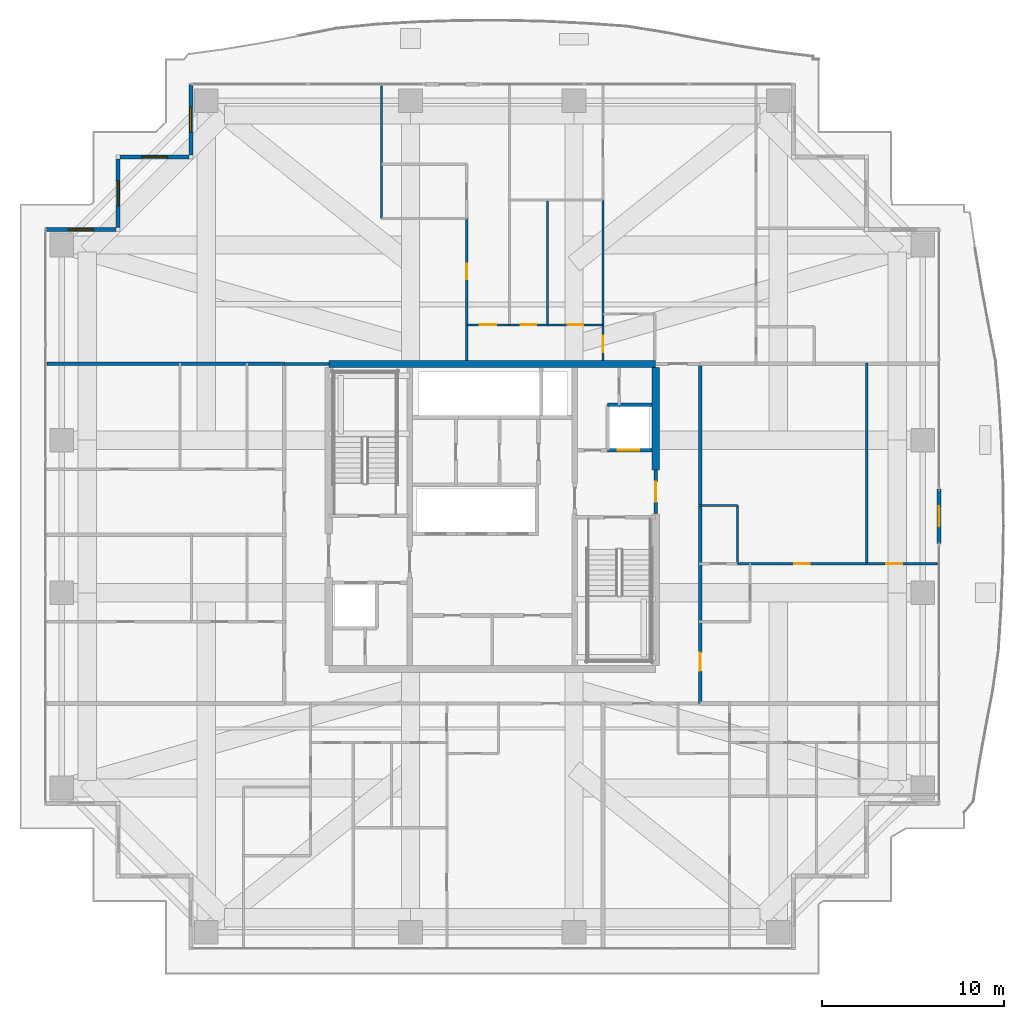
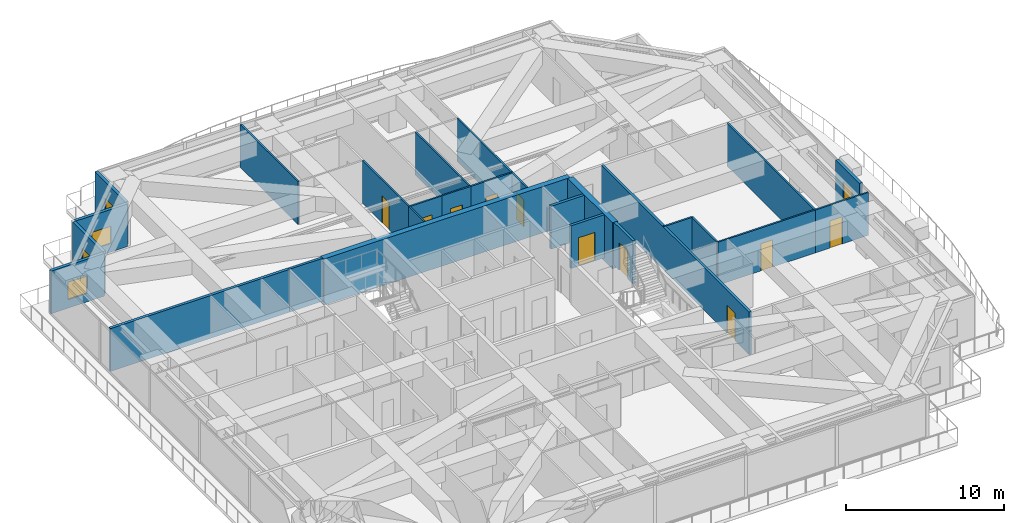
# One storey, part 26 of 32: 27 walls, 11 doors, 4 windows, 15 openings.
"""IFC4 building model written with IfcOpenShell, lengths in metres."""

from ifc_helpers import new_model, si_unit, direction, frame, frame_2d, origin, place, context, subcontext, project, spatial, rectangle, extrude, source, transform, mapped, material, layer, layer_set, type_object, element, fill, save


model = new_model("IFC4")

# Units and contexts
model_context = context("Model", 3, precision=1e-05, world=origin(), true_north=direction((0.0, 1.0)))
body_context = subcontext(model_context, "Body", "Model", "MODEL_VIEW")
ifc_project = project(units=[si_unit("LENGTHUNIT", "METRE"), si_unit("AREAUNIT", "SQUARE_METRE"), si_unit("VOLUMEUNIT", "CUBIC_METRE"), si_unit("PLANEANGLEUNIT", "RADIAN"), si_unit("MASSUNIT", "GRAM", prefix="KILO")], contexts=[model_context])

# Site, building, storey
site_placement = place(None, origin())
site = spatial("IfcSite", under=ifc_project, at=site_placement, CompositionType="ELEMENT")
building_placement = place(site_placement, origin())
building = spatial("IfcBuilding", under=site, at=building_placement, Name="Serunith Strait Residences", CompositionType="ELEMENT")
storey_placement = place(building_placement, frame((0.0, 0.0, 195.14990234375)))
storey = spatial("IfcBuildingStorey", under=building, at=storey_placement, Name="L49", CompositionType="ELEMENT", Elevation=195.14990234375)

# Wall, opening, door
ifc_material_1 = material(Name="Pale-Champagne Aluminium Insulated Panel", Category="aluminium")
ifc_layer_1 = layer(ifc_material_1, 0.219970703125, Name="Pale-Champagne Aluminium Insulated Panel")
ifc_layer_set_1 = layer_set([ifc_layer_1], Name="Pale-Champagne Aluminium Insulated Panel")
wall_type_1 = type_object("IfcWallType", Name="EW-ALUM-220", PredefinedType="ELEMENTEDWALL", material=ifc_layer_set_1)
wall_1_placement = place(storey_placement, frame((57.0, 23.699951171875, 0.0), z_axis=(0.0, 0.0, 1.0), x_axis=(0.0, 1.0, 0.0)))
wall_1 = element("IfcWall", 1, at=wall_1_placement, inside=storey, type_object=wall_type_1, Name="L49 E Facade Pier Wall", PredefinedType="ELEMENTEDWALL", context=body_context, shape_type="SweptSolid", body=[
    extrude(rectangle(XDim=3.0, YDim=0.219970703125, at=frame_2d((1.5, 0.0))), origin(), (0.0, 0.0, 1.0), 3.295166015625),
])
opening_1_placement = place(wall_1_placement, frame((0.949951171875, 0.0, 0.0)))
opening_1 = element("IfcOpeningElement", 2, at=opening_1_placement, cuts=wall_1, Name="Opening ED-03", PredefinedType="OPENING", context=body_context, shape_type="SweptSolid", body=[
    extrude(rectangle(XDim=1.10009765625, YDim=2.199951171875, at=frame_2d((0.550048828125, 1.10009765625))), frame((0.0, 0.1201171875, 0.0), z_axis=(0.0, -1.0, 0.0), x_axis=(1.0, 0.0, 0.0)), (0.0, 0.0, 1.0), 0.239990234375),
])
ifc_material_2 = material(Name="Thermally-Broken Aluminium Glazed Balcony Door", Category="aluminium")
door_type_1 = type_object("IfcDoorType", Name="ED-BALC-1100", OperationType="NOTDEFINED", PredefinedType="DOOR", material=ifc_material_2)
shared_shape_1 = source(origin(), body_context, "Body", "SweptSolid", [
    extrude(rectangle(XDim=1.10009765625, YDim=2.199951171875, at=frame_2d((0.550048828125, 1.10009765625))), frame((0.0, 0.02490234375, 0.0), z_axis=(0.0, -1.0, 0.0), x_axis=(1.0, 0.0, 0.0)), (0.0, 0.0, 1.0), 0.050048828125),
])
door_1_placement = place(opening_1_placement, origin())
door_1 = element("IfcDoor", 3, at=door_1_placement, inside=storey, type_object=door_type_1, Name="L49 E Vertical-Forest Balcony Door", OperationType="SINGLE_SWING_RIGHT", OverallHeight=2.199951171875, OverallWidth=1.10009765625, PredefinedType="DOOR", context=body_context, shape_type="MappedRepresentation", body=[
    mapped(shared_shape_1, transform((0.0, 0.0, 0.0), scale=1.0)),
])
fill(opening_1, door_1)

# Wall, opening, window
wall_2_placement = place(storey_placement, frame((15.800048828125, 49.0, 0.0), z_axis=(0.0, 0.0, 1.0), x_axis=(0.0, -1.0, 0.0)))
wall_2 = element("IfcWall", 4, at=wall_2_placement, inside=storey, type_object=wall_type_1, Name="L49 Girih Serrated Corner Wall 12", PredefinedType="ELEMENTEDWALL", context=body_context, shape_type="SweptSolid", body=[
    extrude(rectangle(XDim=3.889892578125, YDim=0.219970703125, at=frame_2d((1.94482421875, 0.0))), origin(), (0.0, 0.0, 1.0), 3.295166015625),
])
opening_2_placement = place(wall_2_placement, frame((1.2451171875, 0.0, 0.64990234375)))
opening_2 = element("IfcOpeningElement", 5, at=opening_2_placement, cuts=wall_2, Name="Opening W-09", PredefinedType="OPENING", context=body_context, shape_type="SweptSolid", body=[
    extrude(rectangle(XDim=1.39990234375, YDim=1.35009765625, at=frame_2d((0.699951171875, 0.675048828125))), frame((0.0, 0.1201171875, 0.0), z_axis=(0.0, -1.0, 0.0), x_axis=(1.0, 0.0, 0.0)), (0.0, 0.0, 1.0), 0.239990234375),
])
ifc_material_3 = material(Name="Setback Spandrel Ceramic-Fritted Operable Window Glass", Category="glass")
window_type = type_object("IfcWindowType", Name="WIN-C7", PartitioningType="DOUBLE_PANEL_VERTICAL", PredefinedType="WINDOW", material=ifc_material_3)
shared_shape_2 = source(origin(), body_context, "Body", "SweptSolid", [
    extrude(rectangle(XDim=1.39990234375, YDim=1.35009765625, at=frame_2d((0.699951171875, 0.675048828125))), frame((0.0, 0.030029296875, 0.0), z_axis=(0.0, -1.0, 0.0), x_axis=(1.0, 0.0, 0.0)), (0.0, 0.0, 1.0), 0.06005859375),
])
window_1_placement = place(opening_2_placement, origin())
window_1 = element("IfcWindow", 6, at=window_1_placement, inside=storey, type_object=window_type, Name="L49 Corner Operable Fritted Window 12", OverallHeight=1.35009765625, OverallWidth=1.39990234375, PartitioningType="SINGLE_PANEL", PredefinedType="WINDOW", context=body_context, shape_type="MappedRepresentation", body=[
    mapped(shared_shape_2, transform((0.0, 0.0, 0.0), scale=1.0)),
])
fill(opening_2, window_1)

wall_3_placement = place(storey_placement, frame((15.68994140625, 45.0, 0.0), z_axis=(0.0, 0.0, 1.0), x_axis=(-1.0, 0.0, 0.0)))
wall_3 = element("IfcWall", 7, at=wall_3_placement, inside=storey, type_object=wall_type_1, Name="L49 Girih Serrated Corner Wall 13", PredefinedType="ELEMENTEDWALL", context=body_context, shape_type="SweptSolid", body=[
    extrude(rectangle(XDim=3.780029296875, YDim=0.219970703125, at=frame_2d((1.89013671875, 0.0))), origin(), (0.0, 0.0, 1.0), 3.295166015625),
])
opening_3_placement = place(wall_3_placement, frame((1.18994140625, 0.0, 0.64990234375)))
opening_3 = element("IfcOpeningElement", 8, at=opening_3_placement, cuts=wall_3, Name="Opening W-09", PredefinedType="OPENING", context=body_context, shape_type="SweptSolid", body=[
    extrude(rectangle(XDim=1.39990234375, YDim=1.35009765625, at=frame_2d((0.699951171875, 0.675048828125))), frame((0.0, 0.1201171875, 0.0), z_axis=(0.0, -1.0, 0.0), x_axis=(1.0, 0.0, 0.0)), (0.0, 0.0, 1.0), 0.239990234375),
])
window_2_placement = place(opening_3_placement, origin())
window_2 = element("IfcWindow", 9, at=window_2_placement, inside=storey, type_object=window_type, Name="L49 Corner Operable Fritted Window 13", OverallHeight=1.35009765625, OverallWidth=1.39990234375, PartitioningType="SINGLE_PANEL", PredefinedType="WINDOW", context=body_context, shape_type="MappedRepresentation", body=[
    mapped(shared_shape_2, transform((0.0, 0.0, 0.0), scale=1.0)),
])
fill(opening_3, window_2)

wall_4_placement = place(storey_placement, frame((11.800048828125, 44.889892578125, 0.0), z_axis=(0.0, 0.0, 1.0), x_axis=(0.0, -1.0, 0.0)))
wall_4 = element("IfcWall", 10, at=wall_4_placement, inside=storey, type_object=wall_type_1, Name="L49 Girih Serrated Corner Wall 14", PredefinedType="ELEMENTEDWALL", context=body_context, shape_type="SweptSolid", body=[
    extrude(rectangle(XDim=3.77978515625, YDim=0.219970703125, at=frame_2d((1.889892578125, 0.0))), origin(), (0.0, 0.0, 1.0), 3.295166015625),
])
opening_4_placement = place(wall_4_placement, frame((1.18994140625, 0.0, 0.64990234375)))
opening_4 = element("IfcOpeningElement", 11, at=opening_4_placement, cuts=wall_4, Name="Opening W-09", PredefinedType="OPENING", context=body_context, shape_type="SweptSolid", body=[
    extrude(rectangle(XDim=1.39990234375, YDim=1.35009765625, at=frame_2d((0.699951171875, 0.675048828125))), frame((0.0, 0.1201171875, 0.0), z_axis=(0.0, -1.0, 0.0), x_axis=(1.0, 0.0, 0.0)), (0.0, 0.0, 1.0), 0.239990234375),
])
window_3_placement = place(opening_4_placement, origin())
window_3 = element("IfcWindow", 12, at=window_3_placement, inside=storey, type_object=window_type, Name="L49 Corner Operable Fritted Window 14", OverallHeight=1.35009765625, OverallWidth=1.39990234375, PartitioningType="SINGLE_PANEL", PredefinedType="WINDOW", context=body_context, shape_type="MappedRepresentation", body=[
    mapped(shared_shape_2, transform((0.0, 0.0, 0.0), scale=1.0)),
])
fill(opening_4, window_3)

wall_5_placement = place(storey_placement, frame((11.68994140625, 41.0, 0.0), z_axis=(0.0, 0.0, 1.0), x_axis=(-1.0, 0.0, 0.0)))
wall_5 = element("IfcWall", 13, at=wall_5_placement, inside=storey, type_object=wall_type_1, Name="L49 Girih Serrated Corner Wall 15", PredefinedType="ELEMENTEDWALL", context=body_context, shape_type="SweptSolid", body=[
    extrude(rectangle(XDim=3.889892578125, YDim=0.219970703125, at=frame_2d((1.94482421875, 0.0))), origin(), (0.0, 0.0, 1.0), 3.295166015625),
])
opening_5_placement = place(wall_5_placement, frame((1.2451171875, 0.0, 0.64990234375)))
opening_5 = element("IfcOpeningElement", 14, at=opening_5_placement, cuts=wall_5, Name="Opening W-09", PredefinedType="OPENING", context=body_context, shape_type="SweptSolid", body=[
    extrude(rectangle(XDim=1.39990234375, YDim=1.35009765625, at=frame_2d((0.699951171875, 0.675048828125))), frame((0.0, 0.1201171875, 0.0), z_axis=(0.0, -1.0, 0.0), x_axis=(1.0, 0.0, 0.0)), (0.0, 0.0, 1.0), 0.239990234375),
])
window_4_placement = place(opening_5_placement, origin())
window_4 = element("IfcWindow", 15, at=window_4_placement, inside=storey, type_object=window_type, Name="L49 Corner Operable Fritted Window 15", OverallHeight=1.35009765625, OverallWidth=1.39990234375, PartitioningType="SINGLE_PANEL", PredefinedType="WINDOW", context=body_context, shape_type="MappedRepresentation", body=[
    mapped(shared_shape_2, transform((0.0, 0.0, 0.0), scale=1.0)),
])
fill(opening_5, window_4)

# Wall, opening, door
ifc_material_4 = material(Name="Fire-rated acoustic gypsum partition")
ifc_layer_2 = layer(ifc_material_4, 0.179931640625, Name="Fire-rated acoustic gypsum partition")
ifc_layer_set_2 = layer_set([ifc_layer_2], Name="Fire-rated acoustic gypsum partition")
wall_type_2 = type_object("IfcWallType", Name="IW-CORR-180", PredefinedType="PARTITIONING", material=ifc_layer_set_2)
wall_6_placement = place(storey_placement, frame((43.85009765625, 14.89990234375, 0.0), z_axis=(0.0, 0.0, 1.0), x_axis=(0.0, 1.0, 0.0)))
wall_6 = element("IfcWall", 16, at=wall_6_placement, inside=storey, type_object=wall_type_2, Name="L49 Partition Wall 028", PredefinedType="PARTITIONING", context=body_context, shape_type="SweptSolid", body=[
    extrude(rectangle(XDim=18.7001953125, YDim=0.179931640625, at=frame_2d((9.35009765625, 0.0))), origin(), (0.0, 0.0, 1.0), 3.31005859375),
])
opening_6_placement = place(wall_6_placement, frame((1.804931640625, 0.0, 0.0)))
opening_6 = element("IfcOpeningElement", 17, at=opening_6_placement, cuts=wall_6, Name="Opening D-APT1000", PredefinedType="OPENING", context=body_context, shape_type="SweptSolid", body=[
    extrude(rectangle(XDim=1.0, YDim=2.14990234375, at=frame_2d((0.5, 1.074951171875))), frame((0.0, 0.10009765625, 0.0), z_axis=(0.0, -1.0, 0.0), x_axis=(1.0, 0.0, 0.0)), (0.0, 0.0, 1.0), 0.199951171875),
])
ifc_material_5 = material(Name="Solid timber engineered fire door", Category="wood")
door_type_2 = type_object("IfcDoorType", Name="ID-APT-1000", OperationType="NOTDEFINED", PredefinedType="DOOR", material=ifc_material_5)
shared_shape_3 = source(origin(), body_context, "Body", "SweptSolid", [
    extrude(rectangle(XDim=1.0, YDim=2.14990234375, at=frame_2d((0.5, 1.074951171875))), frame((0.0, 0.02490234375, 0.0), z_axis=(0.0, -1.0, 0.0), x_axis=(1.0, 0.0, 0.0)), (0.0, 0.0, 1.0), 0.050048828125),
])
door_2_placement = place(opening_6_placement, origin())
door_2 = element("IfcDoor", 18, at=door_2_placement, inside=storey, type_object=door_type_2, Name="L49 Unit 06 Entrance Door", OperationType="SINGLE_SWING_LEFT", OverallHeight=2.14990234375, OverallWidth=1.0, PredefinedType="DOOR", context=body_context, shape_type="MappedRepresentation", body=[
    mapped(shared_shape_3, transform((0.0, 0.0, 0.0), scale=1.0)),
])
fill(opening_6, door_2)

# Wall
wall_7_placement = place(storey_placement, frame((20.951904296875, 33.60009765625, 0.0), z_axis=(0.0, 0.0, 1.0), x_axis=(1.0, 0.0, 0.0)))
element("IfcWall", 19, at=wall_7_placement, inside=storey, type_object=wall_type_2, Name="L49 Partition Wall 029", PredefinedType="PARTITIONING", context=body_context, shape_type="SweptSolid", body=[
    extrude(rectangle(XDim=2.446044921875, YDim=0.179931640625, at=frame_2d((1.22314453125, 0.0))), origin(), (0.0, 0.0, 1.0), 3.31005859375),
])

# Wall, opening, door
ifc_material_6 = material(Name="Lightweight steel-stud gypsum partition", Category="steel")
ifc_layer_3 = layer(ifc_material_6, 0.1201171875, Name="Lightweight steel-stud gypsum partition")
ifc_layer_set_3 = layer_set([ifc_layer_3], Name="Lightweight steel-stud gypsum partition")
wall_type_3 = type_object("IfcWallType", Name="IW-PART-120", PredefinedType="PARTITIONING", material=ifc_layer_set_3)
wall_8_placement = place(storey_placement, frame((38.5, 35.75, 0.0), z_axis=(0.0, 0.0, 1.0), x_axis=(0.0, -1.0, 0.0)))
wall_8 = element("IfcWall", 20, at=wall_8_placement, inside=storey, type_object=wall_type_3, Name="L49 Partition Wall 065", PredefinedType="PARTITIONING", context=body_context, shape_type="SweptSolid", body=[
    extrude(rectangle(XDim=1.949951171875, YDim=0.1201171875, at=frame_2d((0.97509765625, 0.0))), origin(), (0.0, 0.0, 1.0), 3.31005859375),
])
opening_7_placement = place(wall_8_placement, frame((0.594970703125, 0.0, 0.0)))
opening_7 = element("IfcOpeningElement", 21, at=opening_7_placement, cuts=wall_8, Name="Opening D-RM900", PredefinedType="OPENING", context=body_context, shape_type="SweptSolid", body=[
    extrude(rectangle(XDim=0.89990234375, YDim=2.10009765625, at=frame_2d((0.449951171875, 1.050048828125))), frame((0.0, 0.070068359375, 0.0), z_axis=(0.0, -1.0, 0.0), x_axis=(1.0, 0.0, 0.0)), (0.0, 0.0, 1.0), 0.14013671875),
])
ifc_material_7 = material(Name="Engineered timber flush bedroom door", Category="wood")
door_type_3 = type_object("IfcDoorType", Name="ID-ROOM-900", OperationType="NOTDEFINED", PredefinedType="DOOR", material=ifc_material_7)
shared_shape_4 = source(origin(), body_context, "Body", "SweptSolid", [
    extrude(rectangle(XDim=0.89990234375, YDim=2.10009765625, at=frame_2d((0.449951171875, 1.050048828125))), frame((0.0, 0.02490234375, 0.0), z_axis=(0.0, -1.0, 0.0), x_axis=(1.0, 0.0, 0.0)), (0.0, 0.0, 1.0), 0.050048828125),
])
door_3_placement = place(opening_7_placement, origin())
door_3 = element("IfcDoor", 22, at=door_3_placement, inside=storey, type_object=door_type_3, Name="L49 Hall W 4903 Door", OperationType="SINGLE_SWING_RIGHT", OverallHeight=2.10009765625, OverallWidth=0.89990234375, PredefinedType="DOOR", context=body_context, shape_type="MappedRepresentation", body=[
    mapped(shared_shape_4, transform((0.0, 0.0, 0.0), scale=1.0)),
])
fill(opening_7, door_3)

# Walls
wall_9_placement = place(storey_placement, frame((38.5, 42.62890625, 0.0), z_axis=(0.0, 0.0, 1.0), x_axis=(0.0, -1.0, 0.0)))
element("IfcWall", 23, at=wall_9_placement, inside=storey, type_object=wall_type_3, Name="L49 Partition Wall 067", PredefinedType="PARTITIONING", context=body_context, shape_type="SweptSolid", body=[
    extrude(rectangle(XDim=6.876953125, YDim=0.1201171875, at=frame_2d((3.4384765625, 0.0))), origin(), (0.0, 0.0, 1.0), 3.31005859375),
])
wall_10_placement = place(storey_placement, frame((35.449951171875, 42.631103515625, 0.0), z_axis=(0.0, 0.0, 1.0), x_axis=(0.0, -1.0, 0.0)))
element("IfcWall", 24, at=wall_10_placement, inside=storey, type_object=wall_type_3, Name="L49 Partition Wall 070", PredefinedType="PARTITIONING", context=body_context, shape_type="SweptSolid", body=[
    extrude(rectangle(XDim=6.881103515625, YDim=0.1201171875, at=frame_2d((3.4404296875, 0.0))), origin(), (0.0, 0.0, 1.0), 3.31005859375),
])

# Wall, opening, door
wall_11_placement = place(storey_placement, frame((33.35009765625, 35.75, 0.0), z_axis=(0.0, 0.0, 1.0), x_axis=(1.0, 0.0, 0.0)))
wall_11 = element("IfcWall", 25, at=wall_11_placement, inside=storey, type_object=wall_type_3, Name="L49 Partition Wall 071", PredefinedType="PARTITIONING", context=body_context, shape_type="SweptSolid", body=[
    extrude(rectangle(XDim=2.099853515625, YDim=0.1201171875, at=frame_2d((1.0498046875, 0.0))), origin(), (0.0, 0.0, 1.0), 3.31005859375),
])
opening_8_placement = place(wall_11_placement, frame((0.625, 0.0, 0.0)))
opening_8 = element("IfcOpeningElement", 26, at=opening_8_placement, cuts=wall_11, Name="Opening D-BTH850", PredefinedType="OPENING", context=body_context, shape_type="SweptSolid", body=[
    extrude(rectangle(XDim=0.85009765625, YDim=2.10009765625, at=frame_2d((0.425048828125, 1.050048828125))), frame((0.0, 0.070068359375, 0.0), z_axis=(0.0, -1.0, 0.0), x_axis=(1.0, 0.0, 0.0)), (0.0, 0.0, 1.0), 0.14013671875),
])
ifc_material_8 = material(Name="Moisture-resistant timber bathroom door", Category="wood")
door_type_4 = type_object("IfcDoorType", Name="ID-BATH-850", OperationType="NOTDEFINED", PredefinedType="DOOR", material=ifc_material_8)
shared_shape_5 = source(origin(), body_context, "Body", "SweptSolid", [
    extrude(rectangle(XDim=0.85009765625, YDim=2.10009765625, at=frame_2d((0.425048828125, 1.050048828125))), frame((0.0, 0.02490234375, 0.0), z_axis=(0.0, -1.0, 0.0), x_axis=(1.0, 0.0, 0.0)), (0.0, 0.0, 1.0), 0.050048828125),
])
door_4_placement = place(opening_8_placement, origin())
door_4 = element("IfcDoor", 27, at=door_4_placement, inside=storey, type_object=door_type_4, Name="L49 Bathroom 4903 Door", OperationType="SINGLE_SWING_RIGHT", OverallHeight=2.10009765625, OverallWidth=0.85009765625, PredefinedType="DOOR", context=body_context, shape_type="MappedRepresentation", body=[
    mapped(shared_shape_5, transform((0.0, 0.0, 0.0), scale=1.0)),
])
fill(opening_8, door_4)

wall_12_placement = place(storey_placement, frame((35.451904296875, 35.75, 0.0), z_axis=(0.0, 0.0, 1.0), x_axis=(1.0, 0.0, 0.0)))
wall_12 = element("IfcWall", 28, at=wall_12_placement, inside=storey, type_object=wall_type_3, Name="L49 Partition Wall 072", PredefinedType="PARTITIONING", context=body_context, shape_type="SweptSolid", body=[
    extrude(rectangle(XDim=3.048095703125, YDim=0.1201171875, at=frame_2d((1.52392578125, 0.0))), origin(), (0.0, 0.0, 1.0), 3.31005859375),
])
opening_9_placement = place(wall_12_placement, frame((1.09912109375, 0.0, 0.0)))
opening_9 = element("IfcOpeningElement", 29, at=opening_9_placement, cuts=wall_12, Name="Opening D-RM850", PredefinedType="OPENING", context=body_context, shape_type="SweptSolid", body=[
    extrude(rectangle(XDim=0.85009765625, YDim=2.10009765625, at=frame_2d((0.425048828125, 1.050048828125))), frame((0.0, 0.070068359375, 0.0), z_axis=(0.0, -1.0, 0.0), x_axis=(1.0, 0.0, 0.0)), (0.0, 0.0, 1.0), 0.14013671875),
])
ifc_material_9 = material(Name="Engineered timber flush study and kitchen door", Category="wood")
door_type_5 = type_object("IfcDoorType", Name="ID-ROOM-850", OperationType="NOTDEFINED", PredefinedType="DOOR", material=ifc_material_9)
door_5_placement = place(opening_9_placement, origin())
door_5 = element("IfcDoor", 30, at=door_5_placement, inside=storey, type_object=door_type_5, Name="L49 Formal Dining Room 4903 Door", OperationType="SINGLE_SWING_LEFT", OverallHeight=2.10009765625, OverallWidth=0.85009765625, PredefinedType="DOOR", context=body_context, shape_type="MappedRepresentation", body=[
    mapped(shared_shape_5, transform((0.0, 0.0, 0.0), scale=1.0)),
])
fill(opening_9, door_5)

wall_13_placement = place(storey_placement, frame((31.0, 35.75, 0.0), z_axis=(0.0, 0.0, 1.0), x_axis=(1.0, 0.0, 0.0)))
wall_13 = element("IfcWall", 31, at=wall_13_placement, inside=storey, type_object=wall_type_3, Name="L49 Partition Wall 073", PredefinedType="PARTITIONING", context=body_context, shape_type="SweptSolid", body=[
    extrude(rectangle(XDim=2.347900390625, YDim=0.1201171875, at=frame_2d((1.173828125, 0.0))), origin(), (0.0, 0.0, 1.0), 3.31005859375),
])
opening_10_placement = place(wall_13_placement, frame((0.72412109375, 0.0, 0.0)))
opening_10 = element("IfcOpeningElement", 32, at=opening_10_placement, cuts=wall_13, Name="Opening D-RM900", PredefinedType="OPENING", context=body_context, shape_type="SweptSolid", body=[
    extrude(rectangle(XDim=0.89990234375, YDim=2.10009765625, at=frame_2d((0.449951171875, 1.050048828125))), frame((0.0, 0.070068359375, 0.0), z_axis=(0.0, -1.0, 0.0), x_axis=(1.0, 0.0, 0.0)), (0.0, 0.0, 1.0), 0.14013671875),
])
door_6_placement = place(opening_10_placement, origin())
door_6 = element("IfcDoor", 33, at=door_6_placement, inside=storey, type_object=door_type_3, Name="L49 Master Bedroom W 4903 Door", OperationType="SINGLE_SWING_RIGHT", OverallHeight=2.10009765625, OverallWidth=0.89990234375, PredefinedType="DOOR", context=body_context, shape_type="MappedRepresentation", body=[
    mapped(shared_shape_4, transform((0.0, 0.0, 0.0), scale=1.0)),
])
fill(opening_10, door_6)

# Wall
wall_14_placement = place(storey_placement, frame((26.300048828125, 48.905029296875, 0.0), z_axis=(0.0, 0.0, 1.0), x_axis=(0.0, -1.0, 0.0)))
element("IfcWall", 34, at=wall_14_placement, inside=storey, type_object=wall_type_3, Name="L49 Partition Wall 075", PredefinedType="PARTITIONING", context=body_context, shape_type="SweptSolid", body=[
    extrude(rectangle(XDim=7.2919921875, YDim=0.1201171875, at=frame_2d((3.64599609375, 0.0))), origin(), (0.0, 0.0, 1.0), 3.31005859375),
])

# Wall, opening, door
wall_15_placement = place(storey_placement, frame((31.0, 41.611083984375, 0.0), z_axis=(0.0, 0.0, 1.0), x_axis=(0.0, -1.0, 0.0)))
wall_15 = element("IfcWall", 35, at=wall_15_placement, inside=storey, type_object=wall_type_3, Name="L49 Partition Wall 078", PredefinedType="PARTITIONING", context=body_context, shape_type="SweptSolid", body=[
    extrude(rectangle(XDim=5.861083984375, YDim=0.1201171875, at=frame_2d((2.9306640625, 0.0))), origin(), (0.0, 0.0, 1.0), 3.31005859375),
])
opening_11_placement = place(wall_15_placement, frame((2.5048828125, 0.0, 0.0)))
opening_11 = element("IfcOpeningElement", 36, at=opening_11_placement, cuts=wall_15, Name="Opening D-RM850", PredefinedType="OPENING", context=body_context, shape_type="SweptSolid", body=[
    extrude(rectangle(XDim=0.85009765625, YDim=2.10009765625, at=frame_2d((0.425048828125, 1.050048828125))), frame((0.0, 0.070068359375, 0.0), z_axis=(0.0, -1.0, 0.0), x_axis=(1.0, 0.0, 0.0)), (0.0, 0.0, 1.0), 0.14013671875),
])
door_7_placement = place(opening_11_placement, origin())
door_7 = element("IfcDoor", 37, at=door_7_placement, inside=storey, type_object=door_type_5, Name="L49 Wardrobe W 4903 Door", OperationType="SINGLE_SWING_RIGHT", OverallHeight=2.10009765625, OverallWidth=0.85009765625, PredefinedType="DOOR", context=body_context, shape_type="MappedRepresentation", body=[
    mapped(shared_shape_5, transform((0.0, 0.0, 0.0), scale=1.0)),
])
fill(opening_11, door_7)

# Wall
wall_16_placement = place(storey_placement, frame((31.0, 35.748046875, 0.0), z_axis=(0.0, 0.0, 1.0), x_axis=(0.0, -1.0, 0.0)))
element("IfcWall", 38, at=wall_16_placement, inside=storey, type_object=wall_type_3, Name="L49 Partition Wall 079", PredefinedType="PARTITIONING", context=body_context, shape_type="SweptSolid", body=[
    extrude(rectangle(XDim=1.947998046875, YDim=0.1201171875, at=frame_2d((0.97412109375, 0.0))), origin(), (0.0, 0.0, 1.0), 3.31005859375),
])

# Wall, opening, door
wall_17_placement = place(storey_placement, frame((56.905029296875, 22.60009765625, 0.0), z_axis=(0.0, 0.0, 1.0), x_axis=(-1.0, 0.0, 0.0)))
wall_17 = element("IfcWall", 39, at=wall_17_placement, inside=storey, type_object=wall_type_3, Name="L49 Partition Wall 098", PredefinedType="PARTITIONING", context=body_context, shape_type="SweptSolid", body=[
    extrude(rectangle(XDim=3.879150390625, YDim=0.1201171875, at=frame_2d((1.939453125, 0.0))), origin(), (0.0, 0.0, 1.0), 3.31005859375),
])
opening_12_placement = place(wall_17_placement, frame((1.91796875, 0.0, 0.0)))
opening_12 = element("IfcOpeningElement", 40, at=opening_12_placement, cuts=wall_17, Name="Opening D-RM900", PredefinedType="OPENING", context=body_context, shape_type="SweptSolid", body=[
    extrude(rectangle(XDim=0.89990234375, YDim=2.10009765625, at=frame_2d((0.449951171875, 1.050048828125))), frame((0.0, 0.070068359375, 0.0), z_axis=(0.0, -1.0, 0.0), x_axis=(1.0, 0.0, 0.0)), (0.0, 0.0, 1.0), 0.14013671875),
])
door_8_placement = place(opening_12_placement, origin())
door_8 = element("IfcDoor", 41, at=door_8_placement, inside=storey, type_object=door_type_3, Name="L49 Master Bedroom 1 4906 Door", OperationType="SINGLE_SWING_LEFT", OverallHeight=2.10009765625, OverallWidth=0.89990234375, PredefinedType="DOOR", context=body_context, shape_type="MappedRepresentation", body=[
    mapped(shared_shape_4, transform((0.0, 0.0, 0.0), scale=1.0)),
])
fill(opening_12, door_8)

# Walls
wall_18_placement = place(storey_placement, frame((53.02587890625, 22.60009765625, 0.0), z_axis=(0.0, 0.0, 1.0), x_axis=(0.0, 1.0, 0.0)))
element("IfcWall", 42, at=wall_18_placement, inside=storey, type_object=wall_type_3, Name="L49 Partition Wall 099", PredefinedType="PARTITIONING", context=body_context, shape_type="SweptSolid", body=[
    extrude(rectangle(XDim=11.059814453125, YDim=0.1201171875, at=frame_2d((5.52978515625, 0.0))), origin(), (0.0, 0.0, 1.0), 3.31005859375),
])
wall_19_placement = place(storey_placement, frame((45.89990234375, 22.60009765625, 0.0), z_axis=(0.0, 0.0, 1.0), x_axis=(0.0, 1.0, 0.0)))
element("IfcWall", 43, at=wall_19_placement, inside=storey, type_object=wall_type_3, Name="L49 Partition Wall 100", PredefinedType="PARTITIONING", context=body_context, shape_type="SweptSolid", body=[
    extrude(rectangle(XDim=3.199951171875, YDim=0.1201171875, at=frame_2d((1.60009765625, 0.0))), origin(), (0.0, 0.0, 1.0), 3.31005859375),
])
wall_20_placement = place(storey_placement, frame((45.89990234375, 25.800048828125, 0.0), z_axis=(0.0, 0.0, 1.0), x_axis=(-1.0, 0.0, 0.0)))
element("IfcWall", 44, at=wall_20_placement, inside=storey, type_object=wall_type_3, Name="L49 Partition Wall 101", PredefinedType="PARTITIONING", context=body_context, shape_type="SweptSolid", body=[
    extrude(rectangle(XDim=2.10986328125, YDim=0.1201171875, at=frame_2d((1.054931640625, 0.0))), origin(), (0.0, 0.0, 1.0), 3.31005859375),
])

# Wall, opening, door
wall_21_placement = place(storey_placement, frame((53.02392578125, 22.60009765625, 0.0), z_axis=(0.0, 0.0, 1.0), x_axis=(-1.0, 0.0, 0.0)))
wall_21 = element("IfcWall", 45, at=wall_21_placement, inside=storey, type_object=wall_type_3, Name="L49 Partition Wall 102", PredefinedType="PARTITIONING", context=body_context, shape_type="SweptSolid", body=[
    extrude(rectangle(XDim=7.1240234375, YDim=0.1201171875, at=frame_2d((3.56201171875, 0.0))), origin(), (0.0, 0.0, 1.0), 3.31005859375),
])
opening_13_placement = place(wall_21_placement, frame((3.136962890625, 0.0, 0.0)))
opening_13 = element("IfcOpeningElement", 46, at=opening_13_placement, cuts=wall_21, Name="Opening D-RM850", PredefinedType="OPENING", context=body_context, shape_type="SweptSolid", body=[
    extrude(rectangle(XDim=0.85009765625, YDim=2.10009765625, at=frame_2d((0.425048828125, 1.050048828125))), frame((0.0, 0.070068359375, 0.0), z_axis=(0.0, -1.0, 0.0), x_axis=(1.0, 0.0, 0.0)), (0.0, 0.0, 1.0), 0.14013671875),
])
door_9_placement = place(opening_13_placement, origin())
door_9 = element("IfcDoor", 47, at=door_9_placement, inside=storey, type_object=door_type_5, Name="L49 Walk-in Wardrobe 4906 Door", OperationType="SINGLE_SWING_RIGHT", OverallHeight=2.10009765625, OverallWidth=0.85009765625, PredefinedType="DOOR", context=body_context, shape_type="MappedRepresentation", body=[
    mapped(shared_shape_5, transform((0.0, 0.0, 0.0), scale=1.0)),
])
fill(opening_13, door_9)

# Wall
ifc_material_10 = material(Name="Twin-stud acoustic gypsum board partition")
ifc_layer_4 = layer(ifc_material_10, 0.199951171875, Name="Twin-stud acoustic gypsum board partition")
ifc_layer_set_4 = layer_set([ifc_layer_4], Name="Twin-stud acoustic gypsum board partition")
wall_type_4 = type_object("IfcWallType", Name="IW-PARTY-200", PredefinedType="PARTITIONING", material=ifc_layer_set_4)
wall_22_placement = place(storey_placement, frame((7.882080078125, 33.60009765625, 0.0), z_axis=(0.0, 0.0, 1.0), x_axis=(1.0, 0.0, 0.0)))
element("IfcWall", 48, at=wall_22_placement, inside=storey, type_object=wall_type_4, Name="L49 Partition Wall 024", PredefinedType="PARTITIONING", context=body_context, shape_type="SweptSolid", body=[
    extrude(rectangle(XDim=13.06787109375, YDim=0.199951171875, at=frame_2d((6.533935546875, 0.0))), origin(), (0.0, 0.0, 1.0), 3.31005859375),
])

# Wall, opening, door
ifc_material_11 = material(Name="Autoclaved aerated concrete blockwork", Category="masonry")
ifc_layer_5 = layer(ifc_material_11, 0.199951171875, Name="Autoclaved aerated concrete blockwork")
ifc_layer_set_5 = layer_set([ifc_layer_5], Name="Autoclaved aerated concrete blockwork")
wall_type_5 = type_object("IfcWallType", Name="IW-SHAFT-200", PredefinedType="STANDARD", material=ifc_layer_set_5)
wall_23_placement = place(storey_placement, frame((38.75, 28.85009765625, 0.0), z_axis=(0.0, 0.0, 1.0), x_axis=(1.0, 0.0, 0.0)))
wall_23 = element("IfcWall", 49, at=wall_23_placement, inside=storey, type_object=wall_type_5, Name="L49 FL-2 South Shaft Wall", PredefinedType="STANDARD", context=body_context, shape_type="SweptSolid", body=[
    extrude(rectangle(XDim=2.449951171875, YDim=0.199951171875, at=frame_2d((1.22509765625, 0.0))), origin(), (0.0, 0.0, 1.0), 3.31005859375),
])
opening_14_placement = place(wall_23_placement, frame((0.550048828125, 0.0, 0.0)))
opening_14 = element("IfcOpeningElement", 50, at=opening_14_placement, cuts=wall_23, Name="Opening LD-FF1200", PredefinedType="OPENING", context=body_context, shape_type="SweptSolid", body=[
    extrude(rectangle(XDim=1.199951171875, YDim=2.199951171875, at=frame_2d((0.60009765625, 1.10009765625))), frame((0.0, 0.10986328125, 0.0), z_axis=(0.0, -1.0, 0.0), x_axis=(1.0, 0.0, 0.0)), (0.0, 0.0, 1.0), 0.219970703125),
])
ifc_material_12 = material(Name="Brushed stainless steel landing door", Category="steel")
door_type_6 = type_object("IfcDoorType", Name="LD-FF-1200", OperationType="DOUBLE_DOOR_SLIDING", PredefinedType="DOOR", material=ifc_material_12)
shared_shape_6 = source(origin(), body_context, "Body", "SweptSolid", [
    extrude(rectangle(XDim=1.199951171875, YDim=2.199951171875, at=frame_2d((0.60009765625, 1.10009765625))), frame((0.0, 0.02490234375, 0.0), z_axis=(0.0, -1.0, 0.0), x_axis=(1.0, 0.0, 0.0)), (0.0, 0.0, 1.0), 0.050048828125),
])
door_10_placement = place(opening_14_placement, origin())
door_10 = element("IfcDoor", 51, at=door_10_placement, inside=storey, type_object=door_type_6, Name="L49 FL-2 Landing Door", OperationType="DOUBLE_DOOR_SLIDING", OverallHeight=2.199951171875, OverallWidth=1.199951171875, PredefinedType="DOOR", context=body_context, shape_type="MappedRepresentation", body=[
    mapped(shared_shape_6, transform((0.0, 0.0, 0.0), scale=1.0)),
])
fill(opening_14, door_10)

# Wall
wall_24_placement = place(storey_placement, frame((38.75, 31.35009765625, 0.0), z_axis=(0.0, 0.0, 1.0), x_axis=(1.0, 0.0, 0.0)))
element("IfcWall", 52, at=wall_24_placement, inside=storey, type_object=wall_type_5, Name="L49 Partition Wall 005", PredefinedType="STANDARD", context=body_context, shape_type="SweptSolid", body=[
    extrude(rectangle(XDim=2.449951171875, YDim=0.199951171875, at=frame_2d((1.22509765625, 0.0))), origin(), (0.0, 0.0, 1.0), 3.31005859375),
])

# Wall, opening, door
wall_25_placement = place(storey_placement, frame((41.39990234375, 25.35205078125, 0.0), z_axis=(0.0, 0.0, 1.0), x_axis=(0.0, 1.0, 0.0)))
wall_25 = element("IfcWall", 53, at=wall_25_placement, inside=storey, type_object=wall_type_5, Name="L49 Partition Wall 008", PredefinedType="STANDARD", context=body_context, shape_type="SweptSolid", body=[
    extrude(rectangle(XDim=2.39599609375, YDim=0.199951171875, at=frame_2d((1.197998046875, 0.0))), origin(), (0.0, 0.0, 1.0), 3.31005859375),
])
opening_15_placement = place(wall_25_placement, frame((0.64794921875, 0.0, 0.0)))
opening_15 = element("IfcOpeningElement", 54, at=opening_15_placement, cuts=wall_25, Name="Opening FD-FFL", PredefinedType="OPENING", context=body_context, shape_type="SweptSolid", body=[
    extrude(rectangle(XDim=1.10009765625, YDim=2.14990234375, at=frame_2d((0.550048828125, 1.074951171875))), frame((0.0, 0.10986328125, 0.0), z_axis=(0.0, -1.0, 0.0), x_axis=(1.0, 0.0, 0.0)), (0.0, 0.0, 1.0), 0.219970703125),
])
ifc_material_13 = material(Name="Glazed steel smoke-lobby fire door", Category="steel")
door_type_7 = type_object("IfcDoorType", Name="FD-FFL-1100", OperationType="NOTDEFINED", PredefinedType="DOOR", material=ifc_material_13)
shared_shape_7 = source(origin(), body_context, "Body", "SweptSolid", [
    extrude(rectangle(XDim=1.10009765625, YDim=2.14990234375, at=frame_2d((0.550048828125, 1.074951171875))), frame((0.0, 0.02490234375, 0.0), z_axis=(0.0, -1.0, 0.0), x_axis=(1.0, 0.0, 0.0)), (0.0, 0.0, 1.0), 0.050048828125),
])
door_11_placement = place(opening_15_placement, origin())
door_11 = element("IfcDoor", 55, at=door_11_placement, inside=storey, type_object=door_type_7, Name="L49 FFL-2 Corridor Fire Door", OperationType="SINGLE_SWING_LEFT", OverallHeight=2.14990234375, OverallWidth=1.10009765625, PredefinedType="DOOR", context=body_context, shape_type="MappedRepresentation", body=[
    mapped(shared_shape_7, transform((0.0, 0.0, 0.0), scale=1.0)),
])
fill(opening_15, door_11)

# Walls
ifc_material_14 = material(Name="Concrete C70/85", Category="concrete")
ifc_layer_6 = layer(ifc_material_14, 0.39990234375, Name="Concrete C70/85")
ifc_layer_set_6 = layer_set([ifc_layer_6], Name="Concrete C70/85")
wall_type_6 = type_object("IfcWallType", Name="SW-400-C70", PredefinedType="SHEAR", material=ifc_layer_set_6)
wall_26_placement = place(storey_placement, frame((41.39990234375, 33.60009765625, -0.260009765625), z_axis=(0.0, 0.0, 1.0), x_axis=(-1.0, 0.0, 0.0)))
element("IfcWall", 56, at=wall_26_placement, inside=storey, type_object=wall_type_6, Name="L49 Core North Shear Wall", PredefinedType="SHEAR", context=body_context, shape_type="SweptSolid", body=[
    extrude(rectangle(XDim=18.0, YDim=0.39990234375, at=frame_2d((9.0, 0.0))), origin(), (0.0, 0.0, 1.0), 3.568115234375),
])
wall_27_placement = place(storey_placement, frame((41.39990234375, 27.75, -0.260009765625), z_axis=(0.0, 0.0, 1.0), x_axis=(0.0, 1.0, 0.0)))
element("IfcWall", 57, at=wall_27_placement, inside=storey, type_object=wall_type_6, Name="L49 Core East Shear Wall North Pier", PredefinedType="SHEAR", context=body_context, shape_type="SweptSolid", body=[
    extrude(rectangle(XDim=5.64990234375, YDim=0.39990234375, at=frame_2d((2.824951171875, 0.0))), origin(), (0.0, 0.0, 1.0), 3.568115234375),
])

save(model, "model.ifc")
